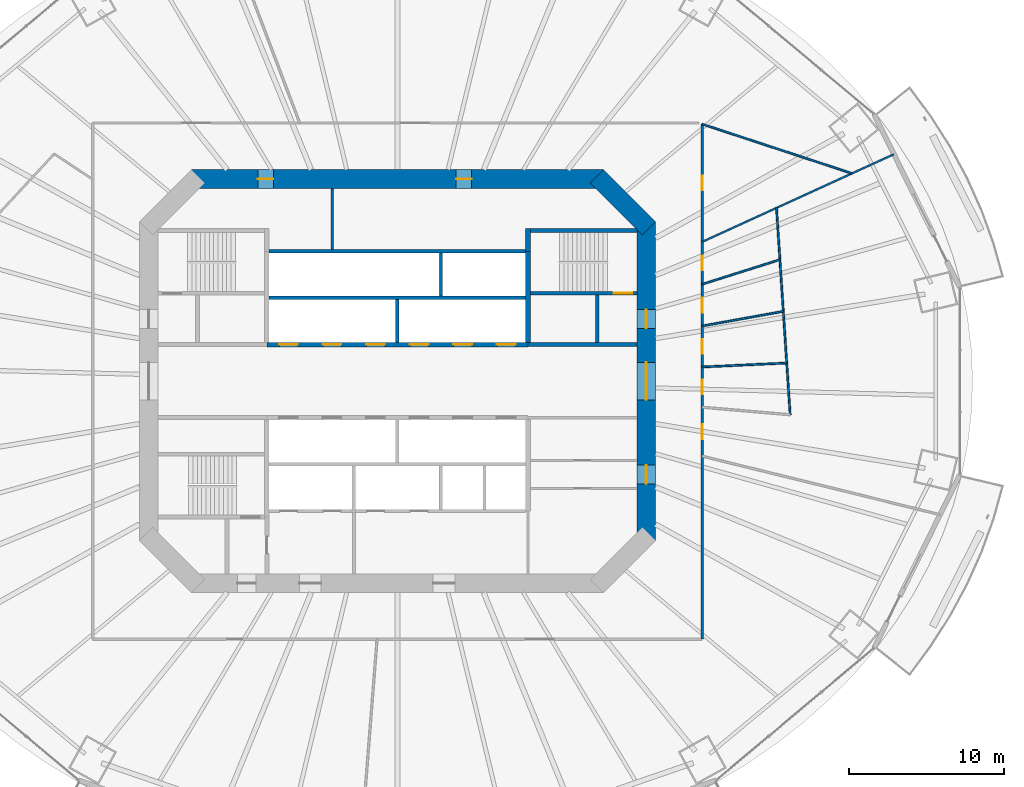
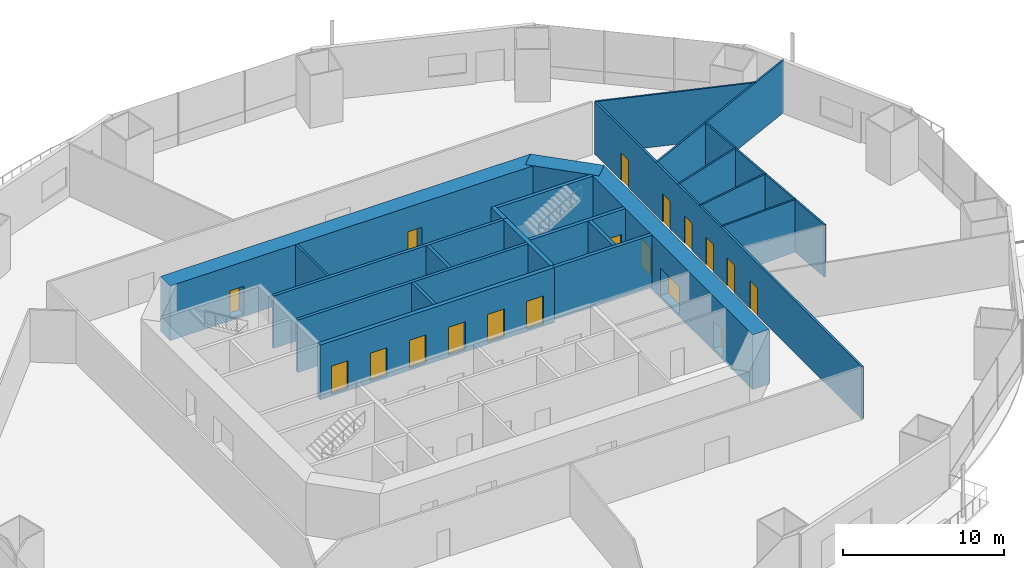
# One storey, part 16 of 23: 22 walls, 18 doors, 18 openings.
"""IFC4 building model written with IfcOpenShell, lengths in metres."""

from ifc_helpers import new_model, si_unit, direction, frame, frame_2d, origin, place, context, subcontext, project, spatial, rectangle, extrude, material, layer, layer_set, type_object, element, fill, save


model = new_model("IFC4")

# Units and contexts
model_context = context("Model", 3, precision=1e-05, world=origin(), true_north=direction((0.0, 1.0)))
body_context = subcontext(model_context, "Body", "Model", "MODEL_VIEW")
ifc_project = project(units=[si_unit("LENGTHUNIT", "METRE"), si_unit("AREAUNIT", "SQUARE_METRE"), si_unit("VOLUMEUNIT", "CUBIC_METRE"), si_unit("PLANEANGLEUNIT", "RADIAN"), si_unit("MASSUNIT", "GRAM", prefix="KILO")], contexts=[model_context])

# Site, building, storey
site_placement = place(None, origin())
site = spatial("IfcSite", under=ifc_project, at=site_placement, CompositionType="ELEMENT")
building_placement = place(site_placement, origin())
building = spatial("IfcBuilding", under=site, at=building_placement, Name="Marenthal Gate Tower", CompositionType="ELEMENT")
storey_placement = place(building_placement, frame((0.0, 0.0, 37.14990234375)))
storey = spatial("IfcBuildingStorey", under=building, at=storey_placement, Name="L05", CompositionType="ELEMENT", Elevation=37.14990234375)

# Wall, openings, doors
ifc_material_1 = material(Name="Concrete 60 MPa", Category="concrete")
ifc_layer_1 = layer(ifc_material_1, 1.199951171875)
ifc_layer_set_1 = layer_set([ifc_layer_1], Name="Core shear wall 1200")
wall_type_1 = type_object("IfcWallType", Name="Core shear wall 1200", PredefinedType="SHEAR", material=ifc_layer_set_1)
wall_1_placement = place(storey_placement, frame((16.0, -10.24853515625, -0.179931640625), z_axis=(0.0, 0.0, 1.0), x_axis=(0.0, 1.0, 0.0)))
wall_1 = element("IfcWall", 1, at=wall_1_placement, inside=storey, type_object=wall_type_1, Name="Core wall 02", PredefinedType="SHEAR", context=body_context, shape_type="SweptSolid", body=[
    extrude(rectangle(XDim=20.4970703125, YDim=1.199951171875, at=frame_2d((10.24853515625, 0.0))), origin(), (0.0, 0.0, 1.0), 4.150146484375),
])
opening_1_placement = place(wall_1_placement, frame((9.048583984375, 0.0, 0.179931640625)))
opening_1 = element("IfcOpeningElement", 2, at=opening_1_placement, cuts=wall_1, Name="Opening D003.02", PredefinedType="OPENING", context=body_context, shape_type="SweptSolid", body=[
    extrude(rectangle(XDim=2.39990234375, YDim=2.10009765625, at=frame_2d((1.199951171875, 1.050048828125))), frame((0.0, 0.60986328125, 0.0), z_axis=(0.0, -1.0, 0.0), x_axis=(1.0, 0.0, 0.0)), (0.0, 0.0, 1.0), 1.219970703125),
])
opening_2_placement = place(wall_1_placement, frame((13.6484375, 0.0, 0.179931640625)))
opening_2 = element("IfcOpeningElement", 3, at=opening_2_placement, cuts=wall_1, Name="Opening D001.05", PredefinedType="OPENING", context=body_context, shape_type="SweptSolid", body=[
    extrude(rectangle(XDim=1.199951171875, YDim=2.10009765625, at=frame_2d((0.60009765625, 1.050048828125))), frame((0.0, 0.60986328125, 0.0), z_axis=(0.0, -1.0, 0.0), x_axis=(1.0, 0.0, 0.0)), (0.0, 0.0, 1.0), 1.219970703125),
])
opening_3_placement = place(wall_1_placement, frame((3.6484375, 0.0, 0.179931640625)))
opening_3 = element("IfcOpeningElement", 4, at=opening_3_placement, cuts=wall_1, Name="Opening D006.01", PredefinedType="OPENING", context=body_context, shape_type="SweptSolid", body=[
    extrude(rectangle(XDim=1.199951171875, YDim=2.10009765625, at=frame_2d((0.60009765625, 1.050048828125))), frame((0.0, 0.60986328125, 0.0), z_axis=(0.0, -1.0, 0.0), x_axis=(1.0, 0.0, 0.0)), (0.0, 0.0, 1.0), 1.219970703125),
])
ifc_material_2 = material(Name="Steel fire door", Category="steel")
door_type_1 = type_object("IfcDoorType", Name="Double fire door FD 45 2400 x 2100", OperationType="DOUBLE_DOOR_SINGLE_SWING", PredefinedType="DOOR", material=ifc_material_2)
door_1_placement = place(opening_1_placement, origin())
door_1 = element("IfcDoor", 5, at=door_1_placement, inside=storey, type_object=door_type_1, Name="Door D003.02", OperationType="DOUBLE_DOOR_SINGLE_SWING", OverallHeight=2.10009765625, OverallWidth=2.39990234375, PredefinedType="DOOR", context=body_context, shape_type="SweptSolid", body=[
    extrude(rectangle(XDim=2.39990234375, YDim=2.10009765625, at=frame_2d((1.199951171875, 1.050048828125))), frame((0.0, 0.02490234375, 0.0), z_axis=(0.0, -1.0, 0.0), x_axis=(1.0, 0.0, 0.0)), (0.0, 0.0, 1.0), 0.050048828125),
])
fill(opening_1, door_1)
ifc_material_3 = material(Name="Steel fire door", Category="steel")
door_type_2 = type_object("IfcDoorType", Name="Fire door FD 45 1200 x 2100", OperationType="NOTDEFINED", PredefinedType="DOOR", material=ifc_material_3)
door_2_placement = place(opening_3_placement, origin())
door_2 = element("IfcDoor", 6, at=door_2_placement, inside=storey, type_object=door_type_2, Name="Door D006.01", OperationType="SINGLE_SWING_RIGHT", OverallHeight=2.10009765625, OverallWidth=1.199951171875, PredefinedType="DOOR", context=body_context, shape_type="SweptSolid", body=[
    extrude(rectangle(XDim=1.199951171875, YDim=2.10009765625, at=frame_2d((0.60009765625, 1.050048828125))), frame((0.0, 0.02490234375, 0.0), z_axis=(0.0, -1.0, 0.0), x_axis=(1.0, 0.0, 0.0)), (0.0, 0.0, 1.0), 0.050048828125),
])
fill(opening_3, door_2)
ifc_material_4 = material(Name="Steel fire door", Category="steel")
door_type_3 = type_object("IfcDoorType", Name="Fire door FD 90 1200 x 2100", OperationType="NOTDEFINED", PredefinedType="DOOR", material=ifc_material_4)
door_3_placement = place(opening_2_placement, origin())
door_3 = element("IfcDoor", 7, at=door_3_placement, inside=storey, type_object=door_type_3, Name="Door D001.05", OperationType="SINGLE_SWING_RIGHT", OverallHeight=2.10009765625, OverallWidth=1.199951171875, PredefinedType="DOOR", context=body_context, shape_type="SweptSolid", body=[
    extrude(rectangle(XDim=1.199951171875, YDim=2.10009765625, at=frame_2d((0.60009765625, 1.050048828125))), frame((0.0, 0.02490234375, 0.0), z_axis=(0.0, -1.0, 0.0), x_axis=(1.0, 0.0, 0.0)), (0.0, 0.0, 1.0), 0.050048828125),
])
fill(opening_2, door_3)

# Wall
wall_2_placement = place(storey_placement, frame((16.17578125, 9.82421875, -0.179931640625), z_axis=(0.0, 0.0, 1.0), x_axis=(-0.707106781187, 0.707106781187, 0.0)))
element("IfcWall", 8, at=wall_2_placement, inside=storey, type_object=wall_type_1, Name="Core wall 03", PredefinedType="SHEAR", context=body_context, shape_type="SweptSolid", body=[
    extrude(rectangle(XDim=4.73974609375, YDim=1.199951171875, at=frame_2d((2.369873046875, 0.0))), origin(), (0.0, 0.0, 1.0), 4.150146484375),
])

# Wall, openings, doors
wall_3_placement = place(storey_placement, frame((13.24853515625, 13.0, -0.179931640625), z_axis=(0.0, 0.0, 1.0), x_axis=(-1.0, 0.0, 0.0)))
wall_3 = element("IfcWall", 9, at=wall_3_placement, inside=storey, type_object=wall_type_1, Name="Core wall 04", PredefinedType="SHEAR", context=body_context, shape_type="SweptSolid", body=[
    extrude(rectangle(XDim=26.4970703125, YDim=1.199951171875, at=frame_2d((13.24853515625, 0.0))), origin(), (0.0, 0.0, 1.0), 4.150146484375),
])
opening_4_placement = place(wall_3_placement, frame((21.224609375, 0.0, 0.179931640625)))
opening_4 = element("IfcOpeningElement", 10, at=opening_4_placement, cuts=wall_3, Name="Opening D005.01", PredefinedType="OPENING", context=body_context, shape_type="SweptSolid", body=[
    extrude(rectangle(XDim=1.0, YDim=2.10009765625, at=frame_2d((0.5, 1.050048828125))), frame((0.0, 0.60986328125, 0.0), z_axis=(0.0, -1.0, 0.0), x_axis=(1.0, 0.0, 0.0)), (0.0, 0.0, 1.0), 1.219970703125),
])
opening_5_placement = place(wall_3_placement, frame((8.472412109375, 0.0, 0.179931640625)))
opening_5 = element("IfcOpeningElement", 11, at=opening_5_placement, cuts=wall_3, Name="Opening D005.02", PredefinedType="OPENING", context=body_context, shape_type="SweptSolid", body=[
    extrude(rectangle(XDim=1.0, YDim=2.10009765625, at=frame_2d((0.5, 1.050048828125))), frame((0.0, 0.60986328125, 0.0), z_axis=(0.0, -1.0, 0.0), x_axis=(1.0, 0.0, 0.0)), (0.0, 0.0, 1.0), 1.219970703125),
])
ifc_material_5 = material(Name="Steel fire door", Category="steel")
door_type_4 = type_object("IfcDoorType", Name="Fire door FD 45 1000 x 2100", OperationType="NOTDEFINED", PredefinedType="DOOR", material=ifc_material_5)
door_4_placement = place(opening_4_placement, origin())
door_4 = element("IfcDoor", 12, at=door_4_placement, inside=storey, type_object=door_type_4, Name="Door D005.01", OperationType="SINGLE_SWING_RIGHT", OverallHeight=2.10009765625, OverallWidth=1.0, PredefinedType="DOOR", context=body_context, shape_type="SweptSolid", body=[
    extrude(rectangle(XDim=1.0, YDim=2.10009765625, at=frame_2d((0.5, 1.050048828125))), frame((0.0, 0.02490234375, 0.0), z_axis=(0.0, -1.0, 0.0), x_axis=(1.0, 0.0, 0.0)), (0.0, 0.0, 1.0), 0.050048828125),
])
fill(opening_4, door_4)
door_5_placement = place(opening_5_placement, origin())
door_5 = element("IfcDoor", 13, at=door_5_placement, inside=storey, type_object=door_type_4, Name="Door D005.02", OperationType="SINGLE_SWING_RIGHT", OverallHeight=2.10009765625, OverallWidth=1.0, PredefinedType="DOOR", context=body_context, shape_type="SweptSolid", body=[
    extrude(rectangle(XDim=1.0, YDim=2.10009765625, at=frame_2d((0.5, 1.050048828125))), frame((0.0, 0.02490234375, 0.0), z_axis=(0.0, -1.0, 0.0), x_axis=(1.0, 0.0, 0.0)), (0.0, 0.0, 1.0), 0.050048828125),
])
fill(opening_5, door_5)

ifc_material_6 = material(Name="Concrete 50 MPa", Category="concrete")
ifc_layer_2 = layer(ifc_material_6, 0.300048828125)
ifc_layer_set_2 = layer_set([ifc_layer_2], Name="Hoistway shear wall 300")
wall_type_2 = type_object("IfcWallType", Name="Hoistway shear wall 300", PredefinedType="SHEAR", material=ifc_layer_set_2)
wall_4_placement = place(storey_placement, frame((-8.39990234375, 2.35009765625, -0.179931640625), z_axis=(0.0, 0.0, 1.0), x_axis=(1.0, 0.0, 0.0)))
wall_4 = element("IfcWall", 14, at=wall_4_placement, inside=storey, type_object=wall_type_2, Name="Hoistway wall 20", PredefinedType="SHEAR", context=body_context, shape_type="SweptSolid", body=[
    extrude(rectangle(XDim=16.7998046875, YDim=0.300048828125, at=frame_2d((8.39990234375, 0.0))), origin(), (0.0, 0.0, 1.0), 4.150146484375),
])
opening_6_placement = place(wall_4_placement, frame((0.800048828125, 0.0, 0.179931640625)))
opening_6 = element("IfcOpeningElement", 15, at=opening_6_placement, cuts=wall_4, Name="Opening LD-LP1", PredefinedType="OPENING", context=body_context, shape_type="SweptSolid", body=[
    extrude(rectangle(XDim=1.199951171875, YDim=2.10009765625, at=frame_2d((0.60009765625, 1.050048828125))), frame((0.0, 0.16015625, 0.0), z_axis=(0.0, -1.0, 0.0), x_axis=(1.0, 0.0, 0.0)), (0.0, 0.0, 1.0), 0.320068359375),
])
opening_7_placement = place(wall_4_placement, frame((3.60009765625, 0.0, 0.179931640625)))
opening_7 = element("IfcOpeningElement", 16, at=opening_7_placement, cuts=wall_4, Name="Opening LD-LP2", PredefinedType="OPENING", context=body_context, shape_type="SweptSolid", body=[
    extrude(rectangle(XDim=1.199951171875, YDim=2.10009765625, at=frame_2d((0.60009765625, 1.050048828125))), frame((0.0, 0.16015625, 0.0), z_axis=(0.0, -1.0, 0.0), x_axis=(1.0, 0.0, 0.0)), (0.0, 0.0, 1.0), 0.320068359375),
])
opening_8_placement = place(wall_4_placement, frame((6.39990234375, 0.0, 0.179931640625)))
opening_8 = element("IfcOpeningElement", 17, at=opening_8_placement, cuts=wall_4, Name="Opening LD-LP3", PredefinedType="OPENING", context=body_context, shape_type="SweptSolid", body=[
    extrude(rectangle(XDim=1.199951171875, YDim=2.10009765625, at=frame_2d((0.60009765625, 1.050048828125))), frame((0.0, 0.16015625, 0.0), z_axis=(0.0, -1.0, 0.0), x_axis=(1.0, 0.0, 0.0)), (0.0, 0.0, 1.0), 0.320068359375),
])
opening_9_placement = place(wall_4_placement, frame((9.199951171875, 0.0, 0.179931640625)))
opening_9 = element("IfcOpeningElement", 18, at=opening_9_placement, cuts=wall_4, Name="Opening LD-LP4", PredefinedType="OPENING", context=body_context, shape_type="SweptSolid", body=[
    extrude(rectangle(XDim=1.199951171875, YDim=2.10009765625, at=frame_2d((0.60009765625, 1.050048828125))), frame((0.0, 0.16015625, 0.0), z_axis=(0.0, -1.0, 0.0), x_axis=(1.0, 0.0, 0.0)), (0.0, 0.0, 1.0), 0.320068359375),
])
opening_10_placement = place(wall_4_placement, frame((12.0, 0.0, 0.179931640625)))
opening_10 = element("IfcOpeningElement", 19, at=opening_10_placement, cuts=wall_4, Name="Opening LD-LP5", PredefinedType="OPENING", context=body_context, shape_type="SweptSolid", body=[
    extrude(rectangle(XDim=1.199951171875, YDim=2.10009765625, at=frame_2d((0.60009765625, 1.050048828125))), frame((0.0, 0.16015625, 0.0), z_axis=(0.0, -1.0, 0.0), x_axis=(1.0, 0.0, 0.0)), (0.0, 0.0, 1.0), 0.320068359375),
])
opening_11_placement = place(wall_4_placement, frame((14.800048828125, 0.0, 0.179931640625)))
opening_11 = element("IfcOpeningElement", 20, at=opening_11_placement, cuts=wall_4, Name="Opening LD-LP6", PredefinedType="OPENING", context=body_context, shape_type="SweptSolid", body=[
    extrude(rectangle(XDim=1.199951171875, YDim=2.10009765625, at=frame_2d((0.60009765625, 1.050048828125))), frame((0.0, 0.16015625, 0.0), z_axis=(0.0, -1.0, 0.0), x_axis=(1.0, 0.0, 0.0)), (0.0, 0.0, 1.0), 0.320068359375),
])
ifc_material_7 = material(Name="Stainless steel sliding door", Category="steel")
door_type_5 = type_object("IfcDoorType", Name="Lift landing door FD 90 1200 x 2100", OperationType="DOUBLE_DOOR_SLIDING", PredefinedType="DOOR", material=ifc_material_7)
door_6_placement = place(opening_6_placement, origin())
door_6 = element("IfcDoor", 21, at=door_6_placement, inside=storey, type_object=door_type_5, Name="Lift landing door LP1", OperationType="DOUBLE_DOOR_SLIDING", OverallHeight=2.10009765625, OverallWidth=1.199951171875, PredefinedType="DOOR", context=body_context, shape_type="SweptSolid", body=[
    extrude(rectangle(XDim=1.199951171875, YDim=2.10009765625, at=frame_2d((0.60009765625, 1.050048828125))), frame((0.0, 0.02490234375, 0.0), z_axis=(0.0, -1.0, 0.0), x_axis=(1.0, 0.0, 0.0)), (0.0, 0.0, 1.0), 0.050048828125),
])
fill(opening_6, door_6)
door_7_placement = place(opening_7_placement, origin())
door_7 = element("IfcDoor", 22, at=door_7_placement, inside=storey, type_object=door_type_5, Name="Lift landing door LP2", OperationType="DOUBLE_DOOR_SLIDING", OverallHeight=2.10009765625, OverallWidth=1.199951171875, PredefinedType="DOOR", context=body_context, shape_type="SweptSolid", body=[
    extrude(rectangle(XDim=1.199951171875, YDim=2.10009765625, at=frame_2d((0.60009765625, 1.050048828125))), frame((0.0, 0.02490234375, 0.0), z_axis=(0.0, -1.0, 0.0), x_axis=(1.0, 0.0, 0.0)), (0.0, 0.0, 1.0), 0.050048828125),
])
fill(opening_7, door_7)
door_8_placement = place(opening_8_placement, origin())
door_8 = element("IfcDoor", 23, at=door_8_placement, inside=storey, type_object=door_type_5, Name="Lift landing door LP3", OperationType="DOUBLE_DOOR_SLIDING", OverallHeight=2.10009765625, OverallWidth=1.199951171875, PredefinedType="DOOR", context=body_context, shape_type="SweptSolid", body=[
    extrude(rectangle(XDim=1.199951171875, YDim=2.10009765625, at=frame_2d((0.60009765625, 1.050048828125))), frame((0.0, 0.02490234375, 0.0), z_axis=(0.0, -1.0, 0.0), x_axis=(1.0, 0.0, 0.0)), (0.0, 0.0, 1.0), 0.050048828125),
])
fill(opening_8, door_8)
door_9_placement = place(opening_9_placement, origin())
door_9 = element("IfcDoor", 24, at=door_9_placement, inside=storey, type_object=door_type_5, Name="Lift landing door LP4", OperationType="DOUBLE_DOOR_SLIDING", OverallHeight=2.10009765625, OverallWidth=1.199951171875, PredefinedType="DOOR", context=body_context, shape_type="SweptSolid", body=[
    extrude(rectangle(XDim=1.199951171875, YDim=2.10009765625, at=frame_2d((0.60009765625, 1.050048828125))), frame((0.0, 0.02490234375, 0.0), z_axis=(0.0, -1.0, 0.0), x_axis=(1.0, 0.0, 0.0)), (0.0, 0.0, 1.0), 0.050048828125),
])
fill(opening_9, door_9)
door_10_placement = place(opening_10_placement, origin())
door_10 = element("IfcDoor", 25, at=door_10_placement, inside=storey, type_object=door_type_5, Name="Lift landing door LP5", OperationType="DOUBLE_DOOR_SLIDING", OverallHeight=2.10009765625, OverallWidth=1.199951171875, PredefinedType="DOOR", context=body_context, shape_type="SweptSolid", body=[
    extrude(rectangle(XDim=1.199951171875, YDim=2.10009765625, at=frame_2d((0.60009765625, 1.050048828125))), frame((0.0, 0.02490234375, 0.0), z_axis=(0.0, -1.0, 0.0), x_axis=(1.0, 0.0, 0.0)), (0.0, 0.0, 1.0), 0.050048828125),
])
fill(opening_10, door_10)
door_11_placement = place(opening_11_placement, origin())
door_11 = element("IfcDoor", 26, at=door_11_placement, inside=storey, type_object=door_type_5, Name="Lift landing door LP6", OperationType="DOUBLE_DOOR_SLIDING", OverallHeight=2.10009765625, OverallWidth=1.199951171875, PredefinedType="DOOR", context=body_context, shape_type="SweptSolid", body=[
    extrude(rectangle(XDim=1.199951171875, YDim=2.10009765625, at=frame_2d((0.60009765625, 1.050048828125))), frame((0.0, 0.02490234375, 0.0), z_axis=(0.0, -1.0, 0.0), x_axis=(1.0, 0.0, 0.0)), (0.0, 0.0, 1.0), 0.050048828125),
])
fill(opening_11, door_11)

# Walls
wall_5_placement = place(storey_placement, frame((8.39990234375, 2.5, -0.179931640625), z_axis=(0.0, 0.0, 1.0), x_axis=(0.0, 1.0, 0.0)))
element("IfcWall", 27, at=wall_5_placement, inside=storey, type_object=wall_type_2, Name="Hoistway wall 44", PredefinedType="SHEAR", context=body_context, shape_type="SweptSolid", body=[
    extrude(rectangle(XDim=5.85009765625, YDim=0.300048828125, at=frame_2d((2.925048828125, 0.0))), origin(), (0.0, 0.0, 1.0), 4.150146484375),
])
ifc_material_8 = material(Name="Concrete 40 MPa", Category="concrete")
ifc_layer_3 = layer(ifc_material_8, 0.219970703125)
ifc_layer_set_3 = layer_set([ifc_layer_3], Name="Hoistway wall 220")
wall_type_3 = type_object("IfcWallType", Name="Hoistway wall 220", PredefinedType="STANDARD", material=ifc_layer_set_3)
for number, where, z_axis, x_axis, name in (
    (28, (-8.25, 5.35009765625, 0.0), (0.0, 0.0, 1.0), (1.0, 0.0, 0.0), "Hoistway wall 22"),
    (29, (-8.25, 8.35009765625, 0.0), (0.0, 0.0, 1.0), (1.0, 0.0, 0.0), "Hoistway wall 25"),
):
    element("IfcWall", number, at=place(storey_placement, frame(where, z_axis=z_axis, x_axis=x_axis)), inside=storey, type_object=wall_type_3, Name=name, PredefinedType="STANDARD", context=body_context, shape_type="SweptSolid", body=[
        extrude(rectangle(XDim=16.5, YDim=0.219970703125, at=frame_2d((8.25, 0.0))), origin(), (0.0, 0.0, 1.0), 3.97021484375),
    ])
wall_6_placement = place(storey_placement, frame((0.0, 2.5, 0.0), z_axis=(0.0, 0.0, 1.0), x_axis=(0.0, 1.0, 0.0)))
element("IfcWall", 30, at=wall_6_placement, inside=storey, type_object=wall_type_3, Name="Hoistway wall 38", PredefinedType="STANDARD", context=body_context, shape_type="SweptSolid", body=[
    extrude(rectangle(XDim=2.739990234375, YDim=0.219970703125, at=frame_2d((1.3701171875, 0.0))), origin(), (0.0, 0.0, 1.0), 3.97021484375),
])
wall_7_placement = place(storey_placement, frame((2.800048828125, 5.4599609375, 0.0), z_axis=(0.0, 0.0, 1.0), x_axis=(0.0, 1.0, 0.0)))
element("IfcWall", 31, at=wall_7_placement, inside=storey, type_object=wall_type_3, Name="Hoistway wall 40", PredefinedType="STANDARD", context=body_context, shape_type="SweptSolid", body=[
    extrude(rectangle(XDim=2.780029296875, YDim=0.219970703125, at=frame_2d((1.39013671875, 0.0))), origin(), (0.0, 0.0, 1.0), 3.97021484375),
])
ifc_material_9 = material(Name="Gypsum board on steel studs", Category="steel")
ifc_layer_4 = layer(ifc_material_9, 0.1201171875)
ifc_layer_set_4 = layer_set([ifc_layer_4], Name="Partition 120")
wall_type_4 = type_object("IfcWallType", Name="Partition 120", PredefinedType="PARTITIONING", material=ifc_layer_set_4)
wall_8_placement = place(storey_placement, frame((19.60009765625, 8.95703125, 0.0), z_axis=(0.0, 0.0, 1.0), x_axis=(0.909522905178, 0.415653804213, 0.0)))
element("IfcWall", 32, at=wall_8_placement, inside=storey, type_object=wall_type_4, Name="Partition wall 56", PredefinedType="PARTITIONING", context=body_context, shape_type="SweptSolid", body=[
    extrude(rectangle(XDim=13.559326171875, YDim=0.1201171875, at=frame_2d((6.77978515625, 0.0))), origin(), (0.0, 0.0, 1.0), 3.97021484375),
])
wall_9_placement = place(storey_placement, frame((24.599609375, 7.8154296875, 0.0), z_axis=(0.0, 0.0, 1.0), x_axis=(-0.95305649374, -0.302792535808, 0.0)))
element("IfcWall", 33, at=wall_9_placement, inside=storey, type_object=wall_type_4, Name="Partition wall 58", PredefinedType="PARTITIONING", context=body_context, shape_type="SweptSolid", body=[
    extrude(rectangle(XDim=5.245849609375, YDim=0.1201171875, at=frame_2d((2.623046875, 0.0))), origin(), (0.0, 0.0, 1.0), 3.97021484375),
])
wall_10_placement = place(storey_placement, frame((24.8193359375, 4.48974609375, 0.0), z_axis=(0.0, 0.0, 1.0), x_axis=(-0.984022736167, -0.178042845144, 0.0)))
element("IfcWall", 34, at=wall_10_placement, inside=storey, type_object=wall_type_4, Name="Partition wall 59", PredefinedType="PARTITIONING", context=body_context, shape_type="SweptSolid", body=[
    extrude(rectangle(XDim=5.303955078125, YDim=0.1201171875, at=frame_2d((2.65185546875, 0.0))), origin(), (0.0, 0.0, 1.0), 3.97021484375),
])
wall_11_placement = place(storey_placement, frame((25.0390625, 1.163818359375, 0.0), z_axis=(0.0, 0.0, 1.0), x_axis=(-0.998922552869, -0.046408332984, 0.0)))
element("IfcWall", 35, at=wall_11_placement, inside=storey, type_object=wall_type_4, Name="Partition wall 60", PredefinedType="PARTITIONING", context=body_context, shape_type="SweptSolid", body=[
    extrude(rectangle(XDim=5.44482421875, YDim=0.1201171875, at=frame_2d((2.722412109375, 0.0))), origin(), (0.0, 0.0, 1.0), 3.97021484375),
])
wall_12_placement = place(storey_placement, frame((25.2587890625, -2.161865234375, 0.0), z_axis=(0.0, 0.0, 1.0), x_axis=(-0.065941683727, 0.997823478551, 0.0)))
element("IfcWall", 36, at=wall_12_placement, inside=storey, type_object=wall_type_4, Name="Partition wall 61", PredefinedType="PARTITIONING", context=body_context, shape_type="SweptSolid", body=[
    extrude(rectangle(XDim=13.332275390625, YDim=0.1201171875, at=frame_2d((6.666015625, 0.0))), origin(), (0.0, 0.0, 1.0), 3.97021484375),
])
wall_13_placement = place(storey_placement, frame((29.233154296875, 13.359130859375, 0.0), z_axis=(0.0, 0.0, 1.0), x_axis=(-0.949784766096, 0.312903975834, 0.0)))
element("IfcWall", 37, at=wall_13_placement, inside=storey, type_object=wall_type_4, Name="Partition wall 63", PredefinedType="PARTITIONING", context=body_context, shape_type="SweptSolid", body=[
    extrude(rectangle(XDim=10.142333984375, YDim=0.1201171875, at=frame_2d((5.0712890625, 0.0))), origin(), (0.0, 0.0, 1.0), 3.97021484375),
])
ifc_material_10 = material(Name="Gypsum board on steel studs", Category="steel")
ifc_layer_5 = layer(ifc_material_10, 0.14990234375)
ifc_layer_set_5 = layer_set([ifc_layer_5], Name="Partition 150")
wall_type_5 = type_object("IfcWallType", Name="Partition 150", PredefinedType="PARTITIONING", material=ifc_layer_set_5)
wall_14_placement = place(storey_placement, frame((-4.199951171875, 8.4599609375, 0.0), z_axis=(0.0, 0.0, 1.0), x_axis=(0.0, 1.0, 0.0)))
element("IfcWall", 38, at=wall_14_placement, inside=storey, type_object=wall_type_5, Name="Partition wall 34", PredefinedType="PARTITIONING", context=body_context, shape_type="SweptSolid", body=[
    extrude(rectangle(XDim=3.93994140625, YDim=0.14990234375, at=frame_2d((1.969970703125, 0.0))), origin(), (0.0, 0.0, 1.0), 3.97021484375),
])

# Wall, openings, doors
wall_15_placement = place(storey_placement, frame((19.60009765625, 16.53271484375, 0.0), z_axis=(0.0, 0.0, 1.0), x_axis=(0.0, -1.0, 0.0)))
wall_15 = element("IfcWall", 39, at=wall_15_placement, inside=storey, type_object=wall_type_5, Name="Partition wall 57", PredefinedType="PARTITIONING", context=body_context, shape_type="SweptSolid", body=[
    extrude(rectangle(XDim=33.1328125, YDim=0.14990234375, at=frame_2d((16.56640625, 0.0))), origin(), (0.0, 0.0, 1.0), 3.97021484375),
])
opening_12_placement = place(wall_15_placement, frame((3.31298828125, 0.0, 0.0)))
opening_12 = element("IfcOpeningElement", 40, at=opening_12_placement, cuts=wall_15, Name="Opening D016.01", PredefinedType="OPENING", context=body_context, shape_type="SweptSolid", body=[
    extrude(rectangle(XDim=0.949951171875, YDim=2.10009765625, at=frame_2d((0.47509765625, 1.050048828125))), frame((0.0, 0.0849609375, 0.0), z_axis=(0.0, -1.0, 0.0), x_axis=(1.0, 0.0, 0.0)), (0.0, 0.0, 1.0), 0.169921875),
])
opening_13_placement = place(wall_15_placement, frame((16.44091796875, 0.0, 0.0)))
opening_13 = element("IfcOpeningElement", 41, at=opening_13_placement, cuts=wall_15, Name="Opening D016.03", PredefinedType="OPENING", context=body_context, shape_type="SweptSolid", body=[
    extrude(rectangle(XDim=0.949951171875, YDim=2.10009765625, at=frame_2d((0.47509765625, 1.050048828125))), frame((0.0, 0.0849609375, 0.0), z_axis=(0.0, -1.0, 0.0), x_axis=(1.0, 0.0, 0.0)), (0.0, 0.0, 1.0), 0.169921875),
])
opening_14_placement = place(wall_15_placement, frame((13.8291015625, 0.0, 0.0)))
opening_14 = element("IfcOpeningElement", 42, at=opening_14_placement, cuts=wall_15, Name="Opening D016.04", PredefinedType="OPENING", context=body_context, shape_type="SweptSolid", body=[
    extrude(rectangle(XDim=0.949951171875, YDim=2.10009765625, at=frame_2d((0.47509765625, 1.050048828125))), frame((0.0, 0.0849609375, 0.0), z_axis=(0.0, -1.0, 0.0), x_axis=(1.0, 0.0, 0.0)), (0.0, 0.0, 1.0), 0.169921875),
])
opening_15_placement = place(wall_15_placement, frame((11.1708984375, 0.0, 0.0)))
opening_15 = element("IfcOpeningElement", 43, at=opening_15_placement, cuts=wall_15, Name="Opening D016.05", PredefinedType="OPENING", context=body_context, shape_type="SweptSolid", body=[
    extrude(rectangle(XDim=0.949951171875, YDim=2.10009765625, at=frame_2d((0.47509765625, 1.050048828125))), frame((0.0, 0.0849609375, 0.0), z_axis=(0.0, -1.0, 0.0), x_axis=(1.0, 0.0, 0.0)), (0.0, 0.0, 1.0), 0.169921875),
])
opening_16_placement = place(wall_15_placement, frame((8.466064453125, 0.0, 0.0)))
opening_16 = element("IfcOpeningElement", 44, at=opening_16_placement, cuts=wall_15, Name="Opening D016.06", PredefinedType="OPENING", context=body_context, shape_type="SweptSolid", body=[
    extrude(rectangle(XDim=0.949951171875, YDim=2.10009765625, at=frame_2d((0.47509765625, 1.050048828125))), frame((0.0, 0.0849609375, 0.0), z_axis=(0.0, -1.0, 0.0), x_axis=(1.0, 0.0, 0.0)), (0.0, 0.0, 1.0), 0.169921875),
])
opening_17_placement = place(wall_15_placement, frame((19.30810546875, 0.0, 0.0)))
opening_17 = element("IfcOpeningElement", 45, at=opening_17_placement, cuts=wall_15, Name="Opening D016.07", PredefinedType="OPENING", context=body_context, shape_type="SweptSolid", body=[
    extrude(rectangle(XDim=0.949951171875, YDim=2.10009765625, at=frame_2d((0.47509765625, 1.050048828125))), frame((0.0, 0.0849609375, 0.0), z_axis=(0.0, -1.0, 0.0), x_axis=(1.0, 0.0, 0.0)), (0.0, 0.0, 1.0), 0.169921875),
])
ifc_material_11 = material(Name="Timber door", Category="wood")
door_type_6 = type_object("IfcDoorType", Name="Door 950 x 2100", OperationType="NOTDEFINED", PredefinedType="DOOR", material=ifc_material_11)
door_12_placement = place(opening_12_placement, origin())
door_12 = element("IfcDoor", 46, at=door_12_placement, inside=storey, type_object=door_type_6, Name="Door D016.01", OperationType="SINGLE_SWING_RIGHT", OverallHeight=2.10009765625, OverallWidth=0.949951171875, PredefinedType="DOOR", context=body_context, shape_type="SweptSolid", body=[
    extrude(rectangle(XDim=0.949951171875, YDim=2.10009765625, at=frame_2d((0.47509765625, 1.050048828125))), frame((0.0, 0.02490234375, 0.0), z_axis=(0.0, -1.0, 0.0), x_axis=(1.0, 0.0, 0.0)), (0.0, 0.0, 1.0), 0.050048828125),
])
fill(opening_12, door_12)
door_13_placement = place(opening_13_placement, origin())
door_13 = element("IfcDoor", 47, at=door_13_placement, inside=storey, type_object=door_type_6, Name="Door D016.03", OperationType="SINGLE_SWING_RIGHT", OverallHeight=2.10009765625, OverallWidth=0.949951171875, PredefinedType="DOOR", context=body_context, shape_type="SweptSolid", body=[
    extrude(rectangle(XDim=0.949951171875, YDim=2.10009765625, at=frame_2d((0.47509765625, 1.050048828125))), frame((0.0, 0.02490234375, 0.0), z_axis=(0.0, -1.0, 0.0), x_axis=(1.0, 0.0, 0.0)), (0.0, 0.0, 1.0), 0.050048828125),
])
fill(opening_13, door_13)
door_14_placement = place(opening_14_placement, origin())
door_14 = element("IfcDoor", 48, at=door_14_placement, inside=storey, type_object=door_type_6, Name="Door D016.04", OperationType="SINGLE_SWING_RIGHT", OverallHeight=2.10009765625, OverallWidth=0.949951171875, PredefinedType="DOOR", context=body_context, shape_type="SweptSolid", body=[
    extrude(rectangle(XDim=0.949951171875, YDim=2.10009765625, at=frame_2d((0.47509765625, 1.050048828125))), frame((0.0, 0.02490234375, 0.0), z_axis=(0.0, -1.0, 0.0), x_axis=(1.0, 0.0, 0.0)), (0.0, 0.0, 1.0), 0.050048828125),
])
fill(opening_14, door_14)
door_15_placement = place(opening_15_placement, origin())
door_15 = element("IfcDoor", 49, at=door_15_placement, inside=storey, type_object=door_type_6, Name="Door D016.05", OperationType="SINGLE_SWING_RIGHT", OverallHeight=2.10009765625, OverallWidth=0.949951171875, PredefinedType="DOOR", context=body_context, shape_type="SweptSolid", body=[
    extrude(rectangle(XDim=0.949951171875, YDim=2.10009765625, at=frame_2d((0.47509765625, 1.050048828125))), frame((0.0, 0.02490234375, 0.0), z_axis=(0.0, -1.0, 0.0), x_axis=(1.0, 0.0, 0.0)), (0.0, 0.0, 1.0), 0.050048828125),
])
fill(opening_15, door_15)
door_16_placement = place(opening_16_placement, origin())
door_16 = element("IfcDoor", 50, at=door_16_placement, inside=storey, type_object=door_type_6, Name="Door D016.06", OperationType="SINGLE_SWING_RIGHT", OverallHeight=2.10009765625, OverallWidth=0.949951171875, PredefinedType="DOOR", context=body_context, shape_type="SweptSolid", body=[
    extrude(rectangle(XDim=0.949951171875, YDim=2.10009765625, at=frame_2d((0.47509765625, 1.050048828125))), frame((0.0, 0.02490234375, 0.0), z_axis=(0.0, -1.0, 0.0), x_axis=(1.0, 0.0, 0.0)), (0.0, 0.0, 1.0), 0.050048828125),
])
fill(opening_16, door_16)
door_17_placement = place(opening_17_placement, origin())
door_17 = element("IfcDoor", 51, at=door_17_placement, inside=storey, type_object=door_type_6, Name="Door D016.07", OperationType="SINGLE_SWING_RIGHT", OverallHeight=2.10009765625, OverallWidth=0.949951171875, PredefinedType="DOOR", context=body_context, shape_type="SweptSolid", body=[
    extrude(rectangle(XDim=0.949951171875, YDim=2.10009765625, at=frame_2d((0.47509765625, 1.050048828125))), frame((0.0, 0.02490234375, 0.0), z_axis=(0.0, -1.0, 0.0), x_axis=(1.0, 0.0, 0.0)), (0.0, 0.0, 1.0), 0.050048828125),
])
fill(opening_17, door_17)

# Walls
ifc_material_12 = material(Name="Concrete 40 MPa", Category="concrete")
ifc_layer_6 = layer(ifc_material_12, 0.25)
ifc_layer_set_6 = layer_set([ifc_layer_6], Name="Stair enclosure wall 250")
wall_type_6 = type_object("IfcWallType", Name="Stair enclosure wall 250", PredefinedType="STANDARD", material=ifc_layer_set_6)
wall_16_placement = place(storey_placement, frame((8.39990234375, 2.35009765625, 0.0), z_axis=(0.0, 0.0, 1.0), x_axis=(1.0, 0.0, 0.0)))
element("IfcWall", 52, at=wall_16_placement, inside=storey, type_object=wall_type_6, Name="Stair wall 21", PredefinedType="STANDARD", context=body_context, shape_type="SweptSolid", body=[
    extrude(rectangle(XDim=7.0, YDim=0.25, at=frame_2d((3.5, 0.0))), origin(), (0.0, 0.0, 1.0), 3.97021484375),
])
wall_17_placement = place(storey_placement, frame((12.85009765625, 2.47509765625, 0.0), z_axis=(0.0, 0.0, 1.0), x_axis=(0.0, 1.0, 0.0)))
element("IfcWall", 53, at=wall_17_placement, inside=storey, type_object=wall_type_6, Name="Stair wall 46", PredefinedType="STANDARD", context=body_context, shape_type="SweptSolid", body=[
    extrude(rectangle(XDim=3.0498046875, YDim=0.25, at=frame_2d((1.52490234375, 0.0))), origin(), (0.0, 0.0, 1.0), 3.97021484375),
])

# Wall, opening, door
ifc_material_13 = material(Name="Concrete 50 MPa", Category="concrete")
ifc_layer_7 = layer(ifc_material_13, 0.25)
ifc_layer_set_7 = layer_set([ifc_layer_7], Name="Stair shear wall 250")
wall_type_7 = type_object("IfcWallType", Name="Stair shear wall 250", PredefinedType="SHEAR", material=ifc_layer_set_7)
wall_18_placement = place(storey_placement, frame((8.550048828125, 5.64990234375, -0.179931640625), z_axis=(0.0, 0.0, 1.0), x_axis=(1.0, 0.0, 0.0)))
wall_18 = element("IfcWall", 54, at=wall_18_placement, inside=storey, type_object=wall_type_7, Name="Stair wall 24", PredefinedType="SHEAR", context=body_context, shape_type="SweptSolid", body=[
    extrude(rectangle(XDim=6.849853515625, YDim=0.25, at=frame_2d((3.4248046875, 0.0))), origin(), (0.0, 0.0, 1.0), 4.150146484375),
])
opening_18_placement = place(wall_18_placement, frame((5.35009765625, 0.0, 0.179931640625)))
opening_18 = element("IfcOpeningElement", 55, at=opening_18_placement, cuts=wall_18, Name="Opening D001.02", PredefinedType="OPENING", context=body_context, shape_type="SweptSolid", body=[
    extrude(rectangle(XDim=1.199951171875, YDim=2.10009765625, at=frame_2d((0.60009765625, 1.050048828125))), frame((0.0, 0.135009765625, 0.0), z_axis=(0.0, -1.0, 0.0), x_axis=(1.0, 0.0, 0.0)), (0.0, 0.0, 1.0), 0.27001953125),
])
door_18_placement = place(opening_18_placement, origin())
door_18 = element("IfcDoor", 56, at=door_18_placement, inside=storey, type_object=door_type_3, Name="Door D001.02", OperationType="SINGLE_SWING_RIGHT", OverallHeight=2.10009765625, OverallWidth=1.199951171875, PredefinedType="DOOR", context=body_context, shape_type="SweptSolid", body=[
    extrude(rectangle(XDim=1.199951171875, YDim=2.10009765625, at=frame_2d((0.60009765625, 1.050048828125))), frame((0.0, 0.02490234375, 0.0), z_axis=(0.0, -1.0, 0.0), x_axis=(1.0, 0.0, 0.0)), (0.0, 0.0, 1.0), 0.050048828125),
])
fill(opening_18, door_18)

# Walls
wall_19_placement = place(storey_placement, frame((8.550048828125, 9.699951171875, -0.179931640625), z_axis=(0.0, 0.0, 1.0), x_axis=(1.0, 0.0, 0.0)))
element("IfcWall", 57, at=wall_19_placement, inside=storey, type_object=wall_type_7, Name="Stair wall 27", PredefinedType="SHEAR", context=body_context, shape_type="SweptSolid", body=[
    extrude(rectangle(XDim=6.849853515625, YDim=0.25, at=frame_2d((3.4248046875, 0.0))), origin(), (0.0, 0.0, 1.0), 4.150146484375),
])
ifc_material_14 = material(Name="Concrete 50 MPa", Category="concrete")
ifc_layer_8 = layer(ifc_material_14, 0.300048828125)
ifc_layer_set_8 = layer_set([ifc_layer_8], Name="Stair shear wall 300")
wall_type_8 = type_object("IfcWallType", Name="Stair shear wall 300", PredefinedType="SHEAR", material=ifc_layer_set_8)
wall_20_placement = place(storey_placement, frame((8.39990234375, 8.35009765625, -0.179931640625), z_axis=(0.0, 0.0, 1.0), x_axis=(0.0, 1.0, 0.0)))
element("IfcWall", 58, at=wall_20_placement, inside=storey, type_object=wall_type_8, Name="Stair wall 45", PredefinedType="SHEAR", context=body_context, shape_type="SweptSolid", body=[
    extrude(rectangle(XDim=1.474853515625, YDim=0.300048828125, at=frame_2d((0.7373046875, 0.0))), origin(), (0.0, 0.0, 1.0), 4.150146484375),
])

save(model, "model.ifc")
